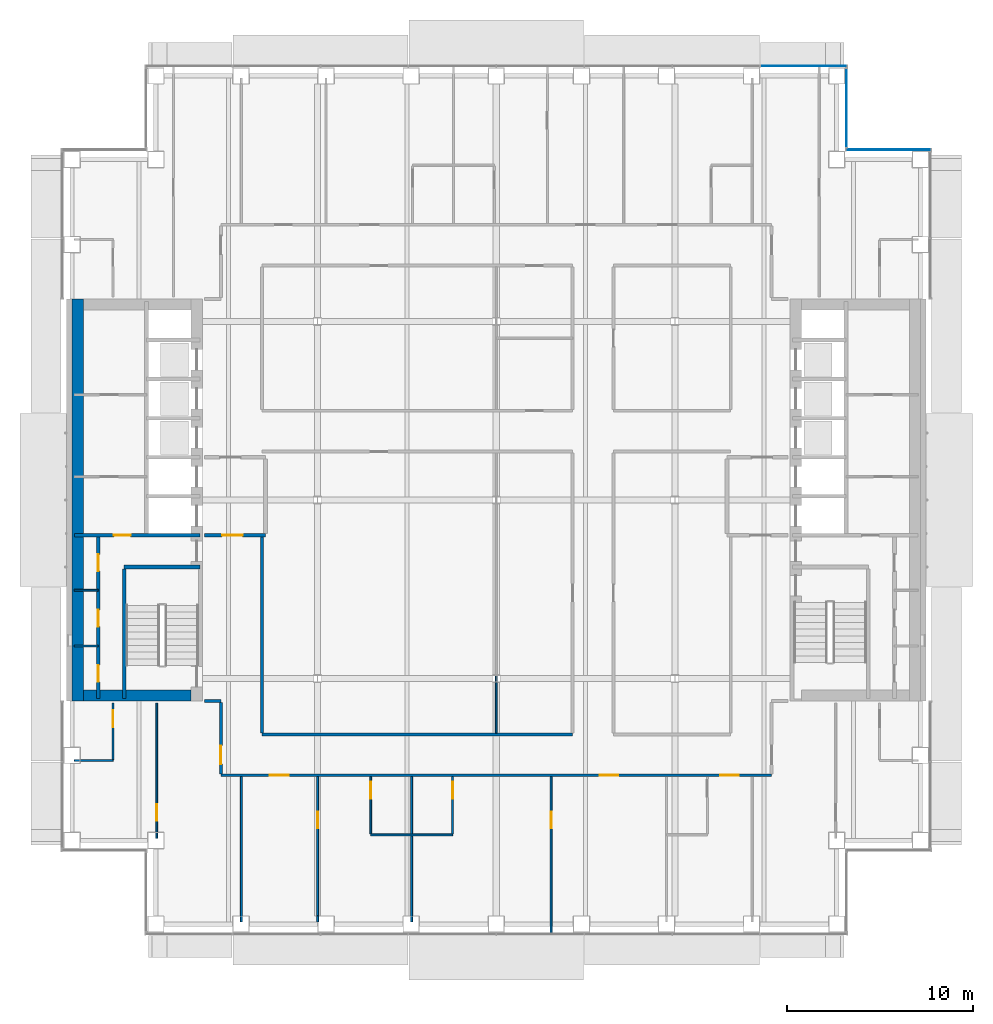
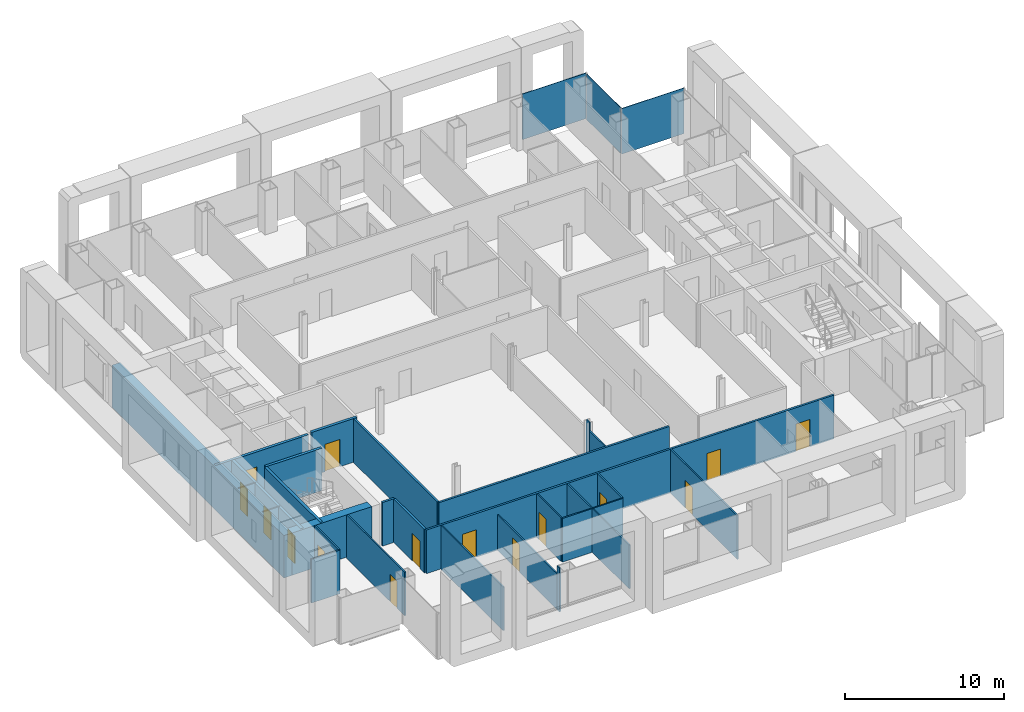
# One storey, part 10 of 20: 28 walls, 15 doors, 3 plates, 15 openings, 3 elements without a shape of their own.
"""IFC4 building model written with IfcOpenShell, lengths in metres."""

from ifc_helpers import new_model, si_unit, direction, frame, frame_2d, origin, origin_2d, place, context, subcontext, project, spatial, rectangle, extrude, material, layer, layer_set, type_object, element, fill, aggregate, save


model = new_model("IFC4")

# Units and contexts
model_context = context("Model", 3, precision=1e-05, world=origin(), true_north=direction((0.0, 1.0)))
body_context = subcontext(model_context, "Body", "Model", "MODEL_VIEW")
ifc_project = project(units=[si_unit("LENGTHUNIT", "METRE"), si_unit("AREAUNIT", "SQUARE_METRE"), si_unit("VOLUMEUNIT", "CUBIC_METRE"), si_unit("PLANEANGLEUNIT", "RADIAN"), si_unit("MASSUNIT", "GRAM", prefix="KILO")], contexts=[model_context])

# Site, building, storey
site_placement = place(None, origin())
site = spatial("IfcSite", under=ifc_project, at=site_placement, CompositionType="ELEMENT")
building_placement = place(site_placement, origin())
building = spatial("IfcBuilding", under=site, at=building_placement, Name="Cobrizo Arcos Hotel Tower", CompositionType="ELEMENT")
storey_placement = place(building_placement, frame((0.0, 0.0, 110.0)))
storey = spatial("IfcBuildingStorey", under=building, at=storey_placement, Name="L27", CompositionType="ELEMENT", Elevation=110.0)

# Curtain wall, plate
ifc_material_1 = material(Name="Aluminium 6063-T6 anodised bronze", Category="aluminium")
curtain_wall_type = type_object("IfcCurtainWallType", Name="CW-A guest facade", PredefinedType="NOTDEFINED", material=ifc_material_1)
curtain_wall_1_placement = place(storey_placement, origin())
curtain_wall_1 = element("IfcCurtainWall", 1, at=curtain_wall_1_placement, inside=storey, type_object=curtain_wall_type, Name="CW-A L27 N face", PredefinedType="NOTDEFINED")
ifc_material_2 = material(Name="Aluminium composite panel pale metal", Category="aluminium")
ifc_layer_1 = layer(ifc_material_2, 0.0400390625)
ifc_layer_set_1 = layer_set([ifc_layer_1], Name="CW-A spandrel panel")
plate_type = type_object("IfcPlateType", Name="CW-A spandrel panel", PredefinedType="CURTAIN_PANEL", material=ifc_layer_set_1)
plate_1_placement = place(storey_placement, frame((21.074951171875, 18.824951171875, 0.0), z_axis=(0.0, 0.0, 1.0), x_axis=(-1.0, 0.0, 0.0)))
plate_1 = element("IfcPlate", 2, at=plate_1_placement, type_object=plate_type, Name="CW-A spandrel panel 1057", PredefinedType="CURTAIN_PANEL", context=body_context, shape_type="SweptSolid", body=[
    extrude(rectangle(XDim=4.530029296875, YDim=0.0400390625, at=origin_2d()), origin(), (0.0, 0.0, 1.0), 3.5),
])
aggregate(curtain_wall_1, [plate_1])

curtain_wall_2_placement = place(storey_placement, origin())
curtain_wall_2 = element("IfcCurtainWall", 3, at=curtain_wall_2_placement, inside=storey, type_object=curtain_wall_type, Name="CW-A L27 E face", PredefinedType="NOTDEFINED")
plate_2_placement = place(storey_placement, frame((18.824951171875, 21.074951171875, 0.0), z_axis=(0.0, 0.0, 1.0), x_axis=(0.0, 1.0, 0.0)))
plate_2 = element("IfcPlate", 4, at=plate_2_placement, type_object=plate_type, Name="CW-A spandrel panel 1058", PredefinedType="CURTAIN_PANEL", context=body_context, shape_type="SweptSolid", body=[
    extrude(rectangle(XDim=4.22998046875, YDim=0.0400390625, at=origin_2d()), origin(), (0.0, 0.0, 1.0), 3.5),
])
aggregate(curtain_wall_2, [plate_2])

curtain_wall_3_placement = place(storey_placement, origin())
curtain_wall_3 = element("IfcCurtainWall", 5, at=curtain_wall_3_placement, inside=storey, type_object=curtain_wall_type, Name="CW-A L27 N face", PredefinedType="NOTDEFINED")
plate_3_placement = place(storey_placement, frame((16.5224609375, 23.324951171875, 0.0), z_axis=(0.0, 0.0, 1.0), x_axis=(-1.0, 0.0, 0.0)))
plate_3 = element("IfcPlate", 6, at=plate_3_placement, type_object=plate_type, Name="CW-A spandrel panel 1059", PredefinedType="CURTAIN_PANEL", context=body_context, shape_type="SweptSolid", body=[
    extrude(rectangle(XDim=4.635009765625, YDim=0.0400390625, at=origin_2d()), origin(), (0.0, 0.0, 1.0), 3.5),
])
aggregate(curtain_wall_3, [plate_3])

# Wall, openings, doors
ifc_material_3 = material(Name="Gypsum board partition")
ifc_layer_2 = layer(ifc_material_3, 0.14990234375)
ifc_layer_set_2 = layer_set([ifc_layer_2], Name="Corridor wall EI 60 150")
wall_type_1 = type_object("IfcWallType", Name="Corridor wall EI 60 150", PredefinedType="PARTITIONING", material=ifc_layer_set_2)
wall_1_placement = place(storey_placement, frame((-14.800048828125, -14.800048828125, 0.0), z_axis=(0.0, 0.0, 1.0), x_axis=(1.0, 0.0, 0.0)))
wall_1 = element("IfcWall", 7, at=wall_1_placement, inside=storey, type_object=wall_type_1, Name="Partition 003", PredefinedType="PARTITIONING", context=body_context, shape_type="SweptSolid", body=[
    extrude(rectangle(XDim=29.60009765625, YDim=0.14990234375, at=frame_2d((14.800048828125, 0.0))), origin(), (0.0, 0.0, 1.0), 3.35009765625),
])
opening_1_placement = place(wall_1_placement, frame((2.634033203125, 0.0, 0.0)))
opening_1 = element("IfcOpeningElement", 8, at=opening_1_placement, cuts=wall_1, Name="Opening GD-04", PredefinedType="OPENING", context=body_context, shape_type="SweptSolid", body=[
    extrude(rectangle(XDim=1.0, YDim=2.10009765625, at=frame_2d((0.5, 1.050048828125))), frame((0.0, 0.0869140625, 0.0), z_axis=(0.0, -1.0, 0.0), x_axis=(1.0, 0.0, 0.0)), (0.0, 0.0, 1.0), 0.173828125),
])
opening_2_placement = place(wall_1_placement, frame((20.362060546875, 0.0, 0.0)))
opening_2 = element("IfcOpeningElement", 9, at=opening_2_placement, cuts=wall_1, Name="Opening GD-05", PredefinedType="OPENING", context=body_context, shape_type="SweptSolid", body=[
    extrude(rectangle(XDim=1.0, YDim=2.10009765625, at=frame_2d((0.5, 1.050048828125))), frame((0.0, 0.0869140625, 0.0), z_axis=(0.0, -1.0, 0.0), x_axis=(1.0, 0.0, 0.0)), (0.0, 0.0, 1.0), 0.173828125),
])
opening_3_placement = place(wall_1_placement, frame((26.8369140625, 0.0, 0.0)))
opening_3 = element("IfcOpeningElement", 10, at=opening_3_placement, cuts=wall_1, Name="Opening GD-06", PredefinedType="OPENING", context=body_context, shape_type="SweptSolid", body=[
    extrude(rectangle(XDim=1.0, YDim=2.10009765625, at=frame_2d((0.5, 1.050048828125))), frame((0.0, 0.0869140625, 0.0), z_axis=(0.0, -1.0, 0.0), x_axis=(1.0, 0.0, 0.0)), (0.0, 0.0, 1.0), 0.173828125),
])
ifc_material_4 = material(Name="Timber door leaf", Category="wood")
door_type_1 = type_object("IfcDoorType", Name="Guest room door FD30S 1000x2100", OperationType="SINGLE_SWING_LEFT", PredefinedType="DOOR", material=ifc_material_4)
door_1_placement = place(opening_1_placement, origin())
door_1 = element("IfcDoor", 11, at=door_1_placement, inside=storey, type_object=door_type_1, Name="Door GD-04", OperationType="SINGLE_SWING_RIGHT", OverallHeight=2.10009765625, OverallWidth=1.0, PredefinedType="DOOR", context=body_context, shape_type="SweptSolid", body=[
    extrude(rectangle(XDim=1.0, YDim=2.10009765625, at=frame_2d((0.5, 1.050048828125))), frame((0.0, 0.02490234375, 0.0), z_axis=(0.0, -1.0, 0.0), x_axis=(1.0, 0.0, 0.0)), (0.0, 0.0, 1.0), 0.050048828125),
])
fill(opening_1, door_1)
door_2_placement = place(opening_2_placement, origin())
door_2 = element("IfcDoor", 12, at=door_2_placement, inside=storey, type_object=door_type_1, Name="Door GD-05", OperationType="SINGLE_SWING_LEFT", OverallHeight=2.10009765625, OverallWidth=1.0, PredefinedType="DOOR", context=body_context, shape_type="SweptSolid", body=[
    extrude(rectangle(XDim=1.0, YDim=2.10009765625, at=frame_2d((0.5, 1.050048828125))), frame((0.0, 0.02490234375, 0.0), z_axis=(0.0, -1.0, 0.0), x_axis=(1.0, 0.0, 0.0)), (0.0, 0.0, 1.0), 0.050048828125),
])
fill(opening_2, door_2)
door_3_placement = place(opening_3_placement, origin())
door_3 = element("IfcDoor", 13, at=door_3_placement, inside=storey, type_object=door_type_1, Name="Door GD-06", OperationType="SINGLE_SWING_LEFT", OverallHeight=2.10009765625, OverallWidth=1.0, PredefinedType="DOOR", context=body_context, shape_type="SweptSolid", body=[
    extrude(rectangle(XDim=1.0, YDim=2.10009765625, at=frame_2d((0.5, 1.050048828125))), frame((0.0, 0.02490234375, 0.0), z_axis=(0.0, -1.0, 0.0), x_axis=(1.0, 0.0, 0.0)), (0.0, 0.0, 1.0), 0.050048828125),
])
fill(opening_3, door_3)

# Walls
wall_2_placement = place(storey_placement, frame((-12.60009765625, -12.60009765625, 0.0), z_axis=(0.0, 0.0, 1.0), x_axis=(1.0, 0.0, 0.0)))
element("IfcWall", 14, at=wall_2_placement, inside=storey, type_object=wall_type_1, Name="Partition 006", PredefinedType="PARTITIONING", context=body_context, shape_type="SweptSolid", body=[
    extrude(rectangle(XDim=16.7001953125, YDim=0.14990234375, at=frame_2d((8.35009765625, 0.0))), origin(), (0.0, 0.0, 1.0), 3.35009765625),
])
wall_3_placement = place(storey_placement, frame((-15.679931640625, -10.800048828125, 0.0), z_axis=(0.0, 0.0, 1.0), x_axis=(1.0, 0.0, 0.0)))
element("IfcWall", 15, at=wall_3_placement, inside=storey, type_object=wall_type_1, Name="Partition 008", PredefinedType="PARTITIONING", context=body_context, shape_type="SweptSolid", body=[
    extrude(rectangle(XDim=0.8798828125, YDim=0.14990234375, at=frame_2d((0.43994140625, 0.0))), origin(), (0.0, 0.0, 1.0), 3.35009765625),
])

# Wall, opening, door
wall_4_placement = place(storey_placement, frame((-14.800048828125, -14.72509765625, 0.0), z_axis=(0.0, 0.0, 1.0), x_axis=(0.0, 1.0, 0.0)))
wall_4 = element("IfcWall", 16, at=wall_4_placement, inside=storey, type_object=wall_type_1, Name="Partition 057", PredefinedType="PARTITIONING", context=body_context, shape_type="SweptSolid", body=[
    extrude(rectangle(XDim=3.85009765625, YDim=0.14990234375, at=frame_2d((1.925048828125, 0.0))), origin(), (0.0, 0.0, 1.0), 3.35009765625),
])
opening_4_placement = place(wall_4_placement, frame((0.52490234375, 0.0, 0.0)))
opening_4 = element("IfcOpeningElement", 17, at=opening_4_placement, cuts=wall_4, Name="Opening GD-07", PredefinedType="OPENING", context=body_context, shape_type="SweptSolid", body=[
    extrude(rectangle(XDim=1.0, YDim=2.10009765625, at=frame_2d((0.5, 1.050048828125))), frame((0.0, 0.0869140625, 0.0), z_axis=(0.0, -1.0, 0.0), x_axis=(1.0, 0.0, 0.0)), (0.0, 0.0, 1.0), 0.173828125),
])
door_4_placement = place(opening_4_placement, origin())
door_4 = element("IfcDoor", 18, at=door_4_placement, inside=storey, type_object=door_type_1, Name="Door GD-07", OperationType="SINGLE_SWING_RIGHT", OverallHeight=2.10009765625, OverallWidth=1.0, PredefinedType="DOOR", context=body_context, shape_type="SweptSolid", body=[
    extrude(rectangle(XDim=1.0, YDim=2.10009765625, at=frame_2d((0.5, 1.050048828125))), frame((0.0, 0.02490234375, 0.0), z_axis=(0.0, -1.0, 0.0), x_axis=(1.0, 0.0, 0.0)), (0.0, 0.0, 1.0), 0.050048828125),
])
fill(opening_4, door_4)

# Walls
wall_5_placement = place(storey_placement, frame((-12.60009765625, -12.52490234375, 0.0), z_axis=(0.0, 0.0, 1.0), x_axis=(0.0, 1.0, 0.0)))
element("IfcWall", 19, at=wall_5_placement, inside=storey, type_object=wall_type_1, Name="Partition 061", PredefinedType="PARTITIONING", context=body_context, shape_type="SweptSolid", body=[
    extrude(rectangle(XDim=10.52490234375, YDim=0.14990234375, at=frame_2d((5.262451171875, 0.0))), origin(), (0.0, 0.0, 1.0), 3.35009765625),
])
ifc_layer_3 = layer(ifc_material_3, 0.10009765625)
ifc_layer_set_3 = layer_set([ifc_layer_3], Name="Partition EI 30 100")
wall_type_2 = type_object("IfcWallType", Name="Partition EI 30 100", PredefinedType="PARTITIONING", material=ifc_layer_set_3)
wall_6_placement = place(storey_placement, frame((-6.75, -18.0, 0.0), z_axis=(0.0, 0.0, 1.0), x_axis=(1.0, 0.0, 0.0)))
element("IfcWall", 20, at=wall_6_placement, inside=storey, type_object=wall_type_2, Name="Partition 001", PredefinedType="PARTITIONING", context=body_context, shape_type="SweptSolid", body=[
    extrude(rectangle(XDim=4.39990234375, YDim=0.10009765625, at=frame_2d((2.199951171875, 0.0))), origin(), (0.0, 0.0, 1.0), 3.35009765625),
])
wall_7_placement = place(storey_placement, frame((-22.679931640625, -14.0, 0.0), z_axis=(0.0, 0.0, 1.0), x_axis=(1.0, 0.0, 0.0)))
element("IfcWall", 21, at=wall_7_placement, inside=storey, type_object=wall_type_2, Name="Partition 004", PredefinedType="PARTITIONING", context=body_context, shape_type="SweptSolid", body=[
    extrude(rectangle(XDim=2.079833984375, YDim=0.10009765625, at=frame_2d((1.0400390625, 0.0))), origin(), (0.0, 0.0, 1.0), 3.35009765625),
])
for number, where, z_axis, x_axis, name in (
    (22, (-22.679931640625, -7.85009765625, 0.0), (0.0, 0.0, 1.0), (1.0, 0.0, 0.0), "Partition 010"),
    (23, (-22.679931640625, -4.85009765625, 0.0), (0.0, 0.0, 1.0), (1.0, 0.0, 0.0), "Partition 012"),
):
    element("IfcWall", number, at=place(storey_placement, frame(where, z_axis=z_axis, x_axis=x_axis)), inside=storey, type_object=wall_type_2, Name=name, PredefinedType="PARTITIONING", context=body_context, shape_type="SweptSolid", body=[
        extrude(rectangle(XDim=1.280029296875, YDim=0.10009765625, at=frame_2d((0.64013671875, 0.0))), origin(), (0.0, 0.0, 1.0), 3.25),
    ])

# Wall, opening, door
wall_8_placement = place(storey_placement, frame((-20.60009765625, -13.949951171875, 0.0), z_axis=(0.0, 0.0, 1.0), x_axis=(0.0, 1.0, 0.0)))
wall_8 = element("IfcWall", 24, at=wall_8_placement, inside=storey, type_object=wall_type_2, Name="Partition 051", PredefinedType="PARTITIONING", context=body_context, shape_type="SweptSolid", body=[
    extrude(rectangle(XDim=3.030029296875, YDim=0.10009765625, at=frame_2d((1.51513671875, 0.0))), origin(), (0.0, 0.0, 1.0), 3.35009765625),
])
opening_5_placement = place(wall_8_placement, frame((1.739990234375, 0.0, 0.0)))
opening_5 = element("IfcOpeningElement", 25, at=opening_5_placement, cuts=wall_8, Name="Opening ED-09", PredefinedType="OPENING", context=body_context, shape_type="SweptSolid", body=[
    extrude(rectangle(XDim=0.89990234375, YDim=2.10009765625, at=frame_2d((0.449951171875, 1.050048828125))), frame((0.0, 0.06201171875, 0.0), z_axis=(0.0, -1.0, 0.0), x_axis=(1.0, 0.0, 0.0)), (0.0, 0.0, 1.0), 0.1240234375),
])
door_type_2 = type_object("IfcDoorType", Name="En-suite door 900x2100", OperationType="SINGLE_SWING_LEFT", PredefinedType="DOOR", material=ifc_material_4)
door_5_placement = place(opening_5_placement, origin())
door_5 = element("IfcDoor", 26, at=door_5_placement, inside=storey, type_object=door_type_2, Name="Door ED-09", OperationType="SINGLE_SWING_RIGHT", OverallHeight=2.10009765625, OverallWidth=0.89990234375, PredefinedType="DOOR", context=body_context, shape_type="SweptSolid", body=[
    extrude(rectangle(XDim=0.89990234375, YDim=2.10009765625, at=frame_2d((0.449951171875, 1.050048828125))), frame((0.0, 0.02490234375, 0.0), z_axis=(0.0, -1.0, 0.0), x_axis=(1.0, 0.0, 0.0)), (0.0, 0.0, 1.0), 0.050048828125),
])
fill(opening_5, door_5)

wall_9_placement = place(storey_placement, frame((-18.25, -18.19091796875, 0.0), z_axis=(0.0, 0.0, 1.0), x_axis=(0.0, 1.0, 0.0)))
wall_9 = element("IfcWall", 27, at=wall_9_placement, inside=storey, type_object=wall_type_2, Name="Partition 055", PredefinedType="PARTITIONING", context=body_context, shape_type="SweptSolid", body=[
    extrude(rectangle(XDim=7.27099609375, YDim=0.10009765625, at=frame_2d((3.635498046875, 0.0))), origin(), (0.0, 0.0, 1.0), 3.35009765625),
])
opening_6_placement = place(wall_9_placement, frame((0.94091796875, 0.0, 0.0)))
opening_6 = element("IfcOpeningElement", 28, at=opening_6_placement, cuts=wall_9, Name="Opening RD-15", PredefinedType="OPENING", context=body_context, shape_type="SweptSolid", body=[
    extrude(rectangle(XDim=0.89990234375, YDim=2.10009765625, at=frame_2d((0.449951171875, 1.050048828125))), frame((0.0, 0.06201171875, 0.0), z_axis=(0.0, -1.0, 0.0), x_axis=(1.0, 0.0, 0.0)), (0.0, 0.0, 1.0), 0.1240234375),
])
door_type_3 = type_object("IfcDoorType", Name="Room door FD30 900x2100", OperationType="SINGLE_SWING_LEFT", PredefinedType="DOOR", material=ifc_material_4)
door_6_placement = place(opening_6_placement, origin())
door_6 = element("IfcDoor", 29, at=door_6_placement, inside=storey, type_object=door_type_3, Name="Door RD-15", OperationType="SINGLE_SWING_RIGHT", OverallHeight=2.10009765625, OverallWidth=0.89990234375, PredefinedType="DOOR", context=body_context, shape_type="SweptSolid", body=[
    extrude(rectangle(XDim=0.89990234375, YDim=2.10009765625, at=frame_2d((0.449951171875, 1.050048828125))), frame((0.0, 0.02490234375, 0.0), z_axis=(0.0, -1.0, 0.0), x_axis=(1.0, 0.0, 0.0)), (0.0, 0.0, 1.0), 0.050048828125),
])
fill(opening_6, door_6)

# Walls
wall_10_placement = place(storey_placement, frame((-13.699951171875, -22.679931640625, 0.0), z_axis=(0.0, 0.0, 1.0), x_axis=(0.0, 1.0, 0.0)))
element("IfcWall", 30, at=wall_10_placement, inside=storey, type_object=wall_type_2, Name="Partition 059", PredefinedType="PARTITIONING", context=body_context, shape_type="SweptSolid", body=[
    extrude(rectangle(XDim=7.804931640625, YDim=0.10009765625, at=frame_2d((3.90234375, 0.0))), origin(), (0.0, 0.0, 1.0), 3.35009765625),
])
wall_11_placement = place(storey_placement, frame((-9.60009765625, -22.679931640625, 0.0), z_axis=(0.0, 0.0, 1.0), x_axis=(0.0, 1.0, 0.0)))
element("IfcWall", 31, at=wall_11_placement, inside=storey, type_object=wall_type_2, Name="Partition 064", PredefinedType="PARTITIONING", context=body_context, shape_type="SweptSolid", body=[
    extrude(rectangle(XDim=0.329833984375, YDim=0.10009765625, at=frame_2d((0.1650390625, 0.0))), origin(), (0.0, 0.0, 1.0), 3.35009765625),
])

# Wall, opening, door
wall_12_placement = place(storey_placement, frame((-9.60009765625, -22.35009765625, 0.0), z_axis=(0.0, 0.0, 1.0), x_axis=(0.0, 1.0, 0.0)))
wall_12 = element("IfcWall", 32, at=wall_12_placement, inside=storey, type_object=wall_type_2, Name="Partition 065", PredefinedType="PARTITIONING", context=body_context, shape_type="SweptSolid", body=[
    extrude(rectangle(XDim=7.47509765625, YDim=0.10009765625, at=frame_2d((3.737548828125, 0.0))), origin(), (0.0, 0.0, 1.0), 2.72802734375),
])
opening_7_placement = place(wall_12_placement, frame((4.699951171875, 0.0, 0.0)))
opening_7 = element("IfcOpeningElement", 33, at=opening_7_placement, cuts=wall_12, Name="Opening RD-13", PredefinedType="OPENING", context=body_context, shape_type="SweptSolid", body=[
    extrude(rectangle(XDim=0.89990234375, YDim=2.10009765625, at=frame_2d((0.449951171875, 1.050048828125))), frame((0.0, 0.06201171875, 0.0), z_axis=(0.0, -1.0, 0.0), x_axis=(1.0, 0.0, 0.0)), (0.0, 0.0, 1.0), 0.1240234375),
])
door_7_placement = place(opening_7_placement, origin())
door_7 = element("IfcDoor", 34, at=door_7_placement, inside=storey, type_object=door_type_3, Name="Door RD-13", OperationType="SINGLE_SWING_RIGHT", OverallHeight=2.10009765625, OverallWidth=0.89990234375, PredefinedType="DOOR", context=body_context, shape_type="SweptSolid", body=[
    extrude(rectangle(XDim=0.89990234375, YDim=2.10009765625, at=frame_2d((0.449951171875, 1.050048828125))), frame((0.0, 0.02490234375, 0.0), z_axis=(0.0, -1.0, 0.0), x_axis=(1.0, 0.0, 0.0)), (0.0, 0.0, 1.0), 0.050048828125),
])
fill(opening_7, door_7)

wall_13_placement = place(storey_placement, frame((-6.75, -17.949951171875, 0.0), z_axis=(0.0, 0.0, 1.0), x_axis=(0.0, 1.0, 0.0)))
wall_13 = element("IfcWall", 35, at=wall_13_placement, inside=storey, type_object=wall_type_2, Name="Partition 067", PredefinedType="PARTITIONING", context=body_context, shape_type="SweptSolid", body=[
    extrude(rectangle(XDim=3.074951171875, YDim=0.10009765625, at=frame_2d((1.53759765625, 0.0))), origin(), (0.0, 0.0, 1.0), 3.35009765625),
])
opening_8_placement = place(wall_13_placement, frame((1.89990234375, 0.0, 0.0)))
opening_8 = element("IfcOpeningElement", 36, at=opening_8_placement, cuts=wall_13, Name="Opening ED-06", PredefinedType="OPENING", context=body_context, shape_type="SweptSolid", body=[
    extrude(rectangle(XDim=0.89990234375, YDim=2.10009765625, at=frame_2d((0.449951171875, 1.050048828125))), frame((0.0, 0.06201171875, 0.0), z_axis=(0.0, -1.0, 0.0), x_axis=(1.0, 0.0, 0.0)), (0.0, 0.0, 1.0), 0.1240234375),
])
door_8_placement = place(opening_8_placement, origin())
door_8 = element("IfcDoor", 37, at=door_8_placement, inside=storey, type_object=door_type_2, Name="Door ED-06", OperationType="SINGLE_SWING_RIGHT", OverallHeight=2.10009765625, OverallWidth=0.89990234375, PredefinedType="DOOR", context=body_context, shape_type="SweptSolid", body=[
    extrude(rectangle(XDim=0.89990234375, YDim=2.10009765625, at=frame_2d((0.449951171875, 1.050048828125))), frame((0.0, 0.02490234375, 0.0), z_axis=(0.0, -1.0, 0.0), x_axis=(1.0, 0.0, 0.0)), (0.0, 0.0, 1.0), 0.050048828125),
])
fill(opening_8, door_8)

# Walls
wall_14_placement = place(storey_placement, frame((-4.550048828125, -22.679931640625, 0.0), z_axis=(0.0, 0.0, 1.0), x_axis=(0.0, 1.0, 0.0)))
element("IfcWall", 38, at=wall_14_placement, inside=storey, type_object=wall_type_2, Name="Partition 068", PredefinedType="PARTITIONING", context=body_context, shape_type="SweptSolid", body=[
    extrude(rectangle(XDim=4.6298828125, YDim=0.10009765625, at=frame_2d((2.31494140625, 0.0))), origin(), (0.0, 0.0, 1.0), 3.35009765625),
])
wall_15_placement = place(storey_placement, frame((-4.550048828125, -17.949951171875, 0.0), z_axis=(0.0, 0.0, 1.0), x_axis=(0.0, 1.0, 0.0)))
element("IfcWall", 39, at=wall_15_placement, inside=storey, type_object=wall_type_2, Name="Partition 069", PredefinedType="PARTITIONING", context=body_context, shape_type="SweptSolid", body=[
    extrude(rectangle(XDim=3.074951171875, YDim=0.10009765625, at=frame_2d((1.53759765625, 0.0))), origin(), (0.0, 0.0, 1.0), 3.35009765625),
])

# Wall, opening, door
wall_16_placement = place(storey_placement, frame((-2.35009765625, -17.949951171875, 0.0), z_axis=(0.0, 0.0, 1.0), x_axis=(0.0, 1.0, 0.0)))
wall_16 = element("IfcWall", 40, at=wall_16_placement, inside=storey, type_object=wall_type_2, Name="Partition 071", PredefinedType="PARTITIONING", context=body_context, shape_type="SweptSolid", body=[
    extrude(rectangle(XDim=3.074951171875, YDim=0.10009765625, at=frame_2d((1.53759765625, 0.0))), origin(), (0.0, 0.0, 1.0), 3.35009765625),
])
opening_9_placement = place(wall_16_placement, frame((1.89990234375, 0.0, 0.0)))
opening_9 = element("IfcOpeningElement", 41, at=opening_9_placement, cuts=wall_16, Name="Opening ED-07", PredefinedType="OPENING", context=body_context, shape_type="SweptSolid", body=[
    extrude(rectangle(XDim=0.89990234375, YDim=2.10009765625, at=frame_2d((0.449951171875, 1.050048828125))), frame((0.0, 0.06201171875, 0.0), z_axis=(0.0, -1.0, 0.0), x_axis=(1.0, 0.0, 0.0)), (0.0, 0.0, 1.0), 0.1240234375),
])
door_9_placement = place(opening_9_placement, origin())
door_9 = element("IfcDoor", 42, at=door_9_placement, inside=storey, type_object=door_type_2, Name="Door ED-07", OperationType="SINGLE_SWING_RIGHT", OverallHeight=2.10009765625, OverallWidth=0.89990234375, PredefinedType="DOOR", context=body_context, shape_type="SweptSolid", body=[
    extrude(rectangle(XDim=0.89990234375, YDim=2.10009765625, at=frame_2d((0.449951171875, 1.050048828125))), frame((0.0, 0.02490234375, 0.0), z_axis=(0.0, -1.0, 0.0), x_axis=(1.0, 0.0, 0.0)), (0.0, 0.0, 1.0), 0.050048828125),
])
fill(opening_9, door_9)

# Walls
wall_17_placement = place(storey_placement, frame((0.0, -12.52490234375, 0.0), z_axis=(0.0, 0.0, 1.0), x_axis=(0.0, 1.0, 0.0)))
element("IfcWall", 43, at=wall_17_placement, inside=storey, type_object=wall_type_2, Name="Partition 075", PredefinedType="PARTITIONING", context=body_context, shape_type="SweptSolid", body=[
    extrude(rectangle(XDim=2.725830078125, YDim=0.10009765625, at=frame_2d((1.36279296875, 0.0))), origin(), (0.0, 0.0, 1.0), 2.72802734375),
])
wall_18_placement = place(storey_placement, frame((0.0, -9.799072265625, 0.0), z_axis=(0.0, 0.0, 1.0), x_axis=(0.0, 1.0, 0.0)))
element("IfcWall", 44, at=wall_18_placement, inside=storey, type_object=wall_type_2, Name="Partition 076", PredefinedType="PARTITIONING", context=body_context, shape_type="SweptSolid", body=[
    extrude(rectangle(XDim=0.398193359375, YDim=0.10009765625, at=frame_2d((0.19921875, 0.0))), origin(), (0.0, 0.0, 1.0), 3.35009765625),
])

# Wall, opening, door
wall_19_placement = place(storey_placement, frame((2.949951171875, -23.280029296875, 0.0), z_axis=(0.0, 0.0, 1.0), x_axis=(0.0, 1.0, 0.0)))
wall_19 = element("IfcWall", 45, at=wall_19_placement, inside=storey, type_object=wall_type_2, Name="Partition 084", PredefinedType="PARTITIONING", context=body_context, shape_type="SweptSolid", body=[
    extrude(rectangle(XDim=8.405029296875, YDim=0.10009765625, at=frame_2d((4.20263671875, 0.0))), origin(), (0.0, 0.0, 1.0), 3.35009765625),
])
opening_10_placement = place(wall_19_placement, frame((5.6298828125, 0.0, 0.0)))
opening_10 = element("IfcOpeningElement", 46, at=opening_10_placement, cuts=wall_19, Name="Opening RD-14", PredefinedType="OPENING", context=body_context, shape_type="SweptSolid", body=[
    extrude(rectangle(XDim=0.89990234375, YDim=2.10009765625, at=frame_2d((0.449951171875, 1.050048828125))), frame((0.0, 0.06201171875, 0.0), z_axis=(0.0, -1.0, 0.0), x_axis=(1.0, 0.0, 0.0)), (0.0, 0.0, 1.0), 0.1240234375),
])
door_10_placement = place(opening_10_placement, origin())
door_10 = element("IfcDoor", 47, at=door_10_placement, inside=storey, type_object=door_type_3, Name="Door RD-14", OperationType="SINGLE_SWING_LEFT", OverallHeight=2.10009765625, OverallWidth=0.89990234375, PredefinedType="DOOR", context=body_context, shape_type="SweptSolid", body=[
    extrude(rectangle(XDim=0.89990234375, YDim=2.10009765625, at=frame_2d((0.449951171875, 1.050048828125))), frame((0.0, 0.02490234375, 0.0), z_axis=(0.0, -1.0, 0.0), x_axis=(1.0, 0.0, 0.0)), (0.0, 0.0, 1.0), 0.050048828125),
])
fill(opening_10, door_10)

# Walls
ifc_material_5 = material(Name="Concrete f'c 50 MPa", Category="concrete")
ifc_layer_4 = layer(ifc_material_5, 0.60009765625)
ifc_layer_set_4 = layer_set([ifc_layer_4], Name="RC core wall 600 f'c 50")
wall_type_3 = type_object("IfcWallType", Name="RC core wall 600 f'c 50", PredefinedType="SHEAR", material=ifc_layer_set_4)
wall_20_placement = place(storey_placement, frame((-22.5, -10.800048828125, 0.0), z_axis=(0.0, 0.0, 1.0), x_axis=(0.0, 1.0, 0.0)))
element("IfcWall", 48, at=wall_20_placement, inside=storey, type_object=wall_type_3, Name="Core wall CW2, west core, outer face, L27", PredefinedType="SHEAR", context=body_context, shape_type="SweptSolid", body=[
    extrude(rectangle(XDim=21.60009765625, YDim=0.60009765625, at=frame_2d((10.800048828125, 0.0))), origin(), (0.0, 0.0, 1.0), 3.25),
])
wall_21_placement = place(storey_placement, frame((-22.199951171875, -10.5, 0.0), z_axis=(0.0, 0.0, 1.0), x_axis=(1.0, 0.0, 0.0)))
element("IfcWall", 49, at=wall_21_placement, inside=storey, type_object=wall_type_3, Name="Core wall CW2, west core, south end, L27", PredefinedType="SHEAR", context=body_context, shape_type="SweptSolid", body=[
    extrude(rectangle(XDim=5.800048828125, YDim=0.60009765625, at=frame_2d((2.89990234375, 0.0))), origin(), (0.0, 0.0, 1.0), 3.25),
])

# Wall, opening, door
ifc_layer_5 = layer(ifc_material_3, 0.199951171875)
ifc_layer_set_5 = layer_set([ifc_layer_5], Name="Shaft wall EI 120 200")
wall_type_4 = type_object("IfcWallType", Name="Shaft wall EI 120 200", PredefinedType="PARTITIONING", material=ifc_layer_set_5)
wall_22_placement = place(storey_placement, frame((-22.679931640625, -1.89990234375, 0.0), z_axis=(0.0, 0.0, 1.0), x_axis=(1.0, 0.0, 0.0)))
wall_22 = element("IfcWall", 50, at=wall_22_placement, inside=storey, type_object=wall_type_4, Name="Partition 016", PredefinedType="PARTITIONING", context=body_context, shape_type="SweptSolid", body=[
    extrude(rectangle(XDim=6.760009765625, YDim=0.199951171875, at=frame_2d((3.3798828125, 0.0))), origin(), (0.0, 0.0, 1.0), 3.25),
])
opening_11_placement = place(wall_22_placement, frame((2.1201171875, 0.0, 0.0)))
opening_11 = element("IfcOpeningElement", 51, at=opening_11_placement, cuts=wall_22, Name="Opening RD-03", PredefinedType="OPENING", context=body_context, shape_type="SweptSolid", body=[
    extrude(rectangle(XDim=0.89990234375, YDim=2.10009765625, at=frame_2d((0.449951171875, 1.050048828125))), frame((0.0, 0.112060546875, 0.0), z_axis=(0.0, -1.0, 0.0), x_axis=(1.0, 0.0, 0.0)), (0.0, 0.0, 1.0), 0.223876953125),
])
door_11_placement = place(opening_11_placement, origin())
door_11 = element("IfcDoor", 52, at=door_11_placement, inside=storey, type_object=door_type_3, Name="Door RD-03", OperationType="SINGLE_SWING_LEFT", OverallHeight=2.10009765625, OverallWidth=0.89990234375, PredefinedType="DOOR", context=body_context, shape_type="SweptSolid", body=[
    extrude(rectangle(XDim=0.89990234375, YDim=2.10009765625, at=frame_2d((0.449951171875, 1.050048828125))), frame((0.0, 0.02490234375, 0.0), z_axis=(0.0, -1.0, 0.0), x_axis=(1.0, 0.0, 0.0)), (0.0, 0.0, 1.0), 0.050048828125),
])
fill(opening_11, door_11)

wall_23_placement = place(storey_placement, frame((-15.679931640625, -1.89990234375, 0.0), z_axis=(0.0, 0.0, 1.0), x_axis=(1.0, 0.0, 0.0)))
wall_23 = element("IfcWall", 53, at=wall_23_placement, inside=storey, type_object=wall_type_4, Name="Partition 017", PredefinedType="PARTITIONING", context=body_context, shape_type="SweptSolid", body=[
    extrude(rectangle(XDim=3.280029296875, YDim=0.199951171875, at=frame_2d((1.64013671875, 0.0))), origin(), (0.0, 0.0, 1.0), 3.35009765625),
])
opening_12_placement = place(wall_23_placement, frame((0.93994140625, 0.0, 0.0)))
opening_12 = element("IfcOpeningElement", 54, at=opening_12_placement, cuts=wall_23, Name="Opening FD-02", PredefinedType="OPENING", context=body_context, shape_type="SweptSolid", body=[
    extrude(rectangle(XDim=1.10009765625, YDim=2.10009765625, at=frame_2d((0.550048828125, 1.050048828125))), frame((0.0, 0.112060546875, 0.0), z_axis=(0.0, -1.0, 0.0), x_axis=(1.0, 0.0, 0.0)), (0.0, 0.0, 1.0), 0.223876953125),
])
ifc_material_6 = material(Name="Steel door leaf", Category="steel")
door_type_4 = type_object("IfcDoorType", Name="Fire door FD60 1100x2100", OperationType="SINGLE_SWING_LEFT", PredefinedType="DOOR", material=ifc_material_6)
door_12_placement = place(opening_12_placement, origin())
door_12 = element("IfcDoor", 55, at=door_12_placement, inside=storey, type_object=door_type_4, Name="Door FD-02", OperationType="SINGLE_SWING_RIGHT", OverallHeight=2.10009765625, OverallWidth=1.10009765625, PredefinedType="DOOR", context=body_context, shape_type="SweptSolid", body=[
    extrude(rectangle(XDim=1.10009765625, YDim=2.10009765625, at=frame_2d((0.550048828125, 1.050048828125))), frame((0.0, 0.02490234375, 0.0), z_axis=(0.0, -1.0, 0.0), x_axis=(1.0, 0.0, 0.0)), (0.0, 0.0, 1.0), 0.050048828125),
])
fill(opening_12, door_12)

# Wall, openings, doors
wall_24_placement = place(storey_placement, frame((-21.39990234375, -10.679931640625, 0.0), z_axis=(0.0, 0.0, 1.0), x_axis=(0.0, 1.0, 0.0)))
wall_24 = element("IfcWall", 56, at=wall_24_placement, inside=storey, type_object=wall_type_4, Name="Partition 050", PredefinedType="PARTITIONING", context=body_context, shape_type="SweptSolid", body=[
    extrude(rectangle(XDim=8.679931640625, YDim=0.199951171875, at=frame_2d((4.33984375, 0.0))), origin(), (0.0, 0.0, 1.0), 3.25),
])
opening_13_placement = place(wall_24_placement, frame((0.89892578125, 0.0, 0.0)))
opening_13 = element("IfcOpeningElement", 57, at=opening_13_placement, cuts=wall_24, Name="Opening RD-01", PredefinedType="OPENING", context=body_context, shape_type="SweptSolid", body=[
    extrude(rectangle(XDim=0.89990234375, YDim=2.10009765625, at=frame_2d((0.449951171875, 1.050048828125))), frame((0.0, 0.112060546875, 0.0), z_axis=(0.0, -1.0, 0.0), x_axis=(1.0, 0.0, 0.0)), (0.0, 0.0, 1.0), 0.223876953125),
])
opening_14_placement = place(wall_24_placement, frame((3.8798828125, 0.0, 0.0)))
opening_14 = element("IfcOpeningElement", 58, at=opening_14_placement, cuts=wall_24, Name="Opening RD-02", PredefinedType="OPENING", context=body_context, shape_type="SweptSolid", body=[
    extrude(rectangle(XDim=0.89990234375, YDim=2.10009765625, at=frame_2d((0.449951171875, 1.050048828125))), frame((0.0, 0.112060546875, 0.0), z_axis=(0.0, -1.0, 0.0), x_axis=(1.0, 0.0, 0.0)), (0.0, 0.0, 1.0), 0.223876953125),
])
opening_15_placement = place(wall_24_placement, frame((6.862060546875, 0.0, 0.0)))
opening_15 = element("IfcOpeningElement", 59, at=opening_15_placement, cuts=wall_24, Name="Opening ED-01", PredefinedType="OPENING", context=body_context, shape_type="SweptSolid", body=[
    extrude(rectangle(XDim=0.89990234375, YDim=2.10009765625, at=frame_2d((0.449951171875, 1.050048828125))), frame((0.0, 0.112060546875, 0.0), z_axis=(0.0, -1.0, 0.0), x_axis=(1.0, 0.0, 0.0)), (0.0, 0.0, 1.0), 0.223876953125),
])
door_13_placement = place(opening_15_placement, origin())
door_13 = element("IfcDoor", 60, at=door_13_placement, inside=storey, type_object=door_type_2, Name="Door ED-01", OperationType="SINGLE_SWING_LEFT", OverallHeight=2.10009765625, OverallWidth=0.89990234375, PredefinedType="DOOR", context=body_context, shape_type="SweptSolid", body=[
    extrude(rectangle(XDim=0.89990234375, YDim=2.10009765625, at=frame_2d((0.449951171875, 1.050048828125))), frame((0.0, 0.02490234375, 0.0), z_axis=(0.0, -1.0, 0.0), x_axis=(1.0, 0.0, 0.0)), (0.0, 0.0, 1.0), 0.050048828125),
])
fill(opening_15, door_13)
door_14_placement = place(opening_13_placement, origin())
door_14 = element("IfcDoor", 61, at=door_14_placement, inside=storey, type_object=door_type_3, Name="Door RD-01", OperationType="SINGLE_SWING_LEFT", OverallHeight=2.10009765625, OverallWidth=0.89990234375, PredefinedType="DOOR", context=body_context, shape_type="SweptSolid", body=[
    extrude(rectangle(XDim=0.89990234375, YDim=2.10009765625, at=frame_2d((0.449951171875, 1.050048828125))), frame((0.0, 0.02490234375, 0.0), z_axis=(0.0, -1.0, 0.0), x_axis=(1.0, 0.0, 0.0)), (0.0, 0.0, 1.0), 0.050048828125),
])
fill(opening_13, door_14)
door_15_placement = place(opening_14_placement, origin())
door_15 = element("IfcDoor", 62, at=door_15_placement, inside=storey, type_object=door_type_3, Name="Door RD-02", OperationType="SINGLE_SWING_RIGHT", OverallHeight=2.10009765625, OverallWidth=0.89990234375, PredefinedType="DOOR", context=body_context, shape_type="SweptSolid", body=[
    extrude(rectangle(XDim=0.89990234375, YDim=2.10009765625, at=frame_2d((0.449951171875, 1.050048828125))), frame((0.0, 0.02490234375, 0.0), z_axis=(0.0, -1.0, 0.0), x_axis=(1.0, 0.0, 0.0)), (0.0, 0.0, 1.0), 0.050048828125),
])
fill(opening_14, door_15)

# Walls
ifc_material_7 = material(Name="Concrete f'c 40 MPa", Category="concrete")
ifc_layer_6 = layer(ifc_material_7, 0.199951171875)
ifc_layer_set_6 = layer_set([ifc_layer_6], Name="Stair shaft wall 200")
wall_type_5 = type_object("IfcWallType", Name="Stair shaft wall 200", PredefinedType="SHEAR", material=ifc_layer_set_6)
wall_25_placement = place(storey_placement, frame((-20.0, -3.60009765625, 0.0), z_axis=(0.0, 0.0, 1.0), x_axis=(1.0, 0.0, 0.0)))
element("IfcWall", 63, at=wall_25_placement, inside=storey, type_object=wall_type_5, Name="Stair shaft wall W", PredefinedType="SHEAR", context=body_context, shape_type="SweptSolid", body=[
    extrude(rectangle(XDim=4.080078125, YDim=0.199951171875, at=frame_2d((2.0400390625, 0.0))), origin(), (0.0, 0.0, 1.0), 3.25),
])
wall_26_placement = place(storey_placement, frame((-20.0, -10.679931640625, 0.0), z_axis=(0.0, 0.0, 1.0), x_axis=(0.0, 1.0, 0.0)))
element("IfcWall", 64, at=wall_26_placement, inside=storey, type_object=wall_type_5, Name="Stair shaft wall W", PredefinedType="SHEAR", context=body_context, shape_type="SweptSolid", body=[
    extrude(rectangle(XDim=6.97998046875, YDim=0.199951171875, at=frame_2d((3.489990234375, 0.0))), origin(), (0.0, 0.0, 1.0), 3.25),
])

save(model, "model.ifc")
